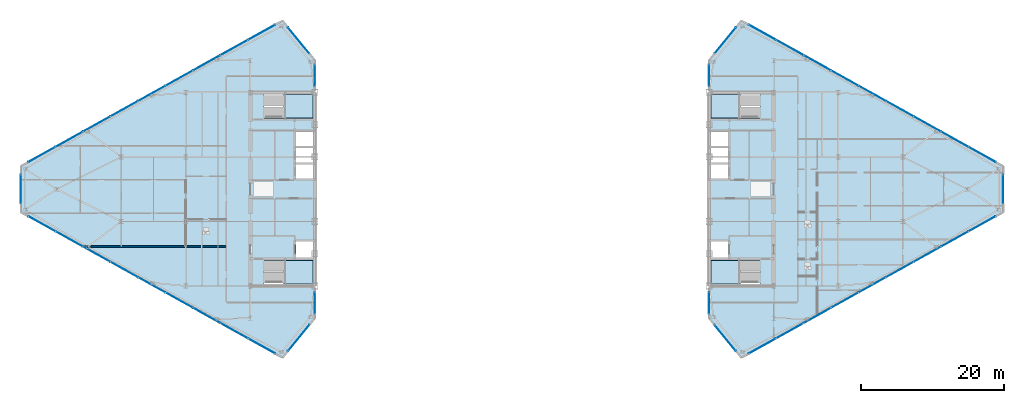
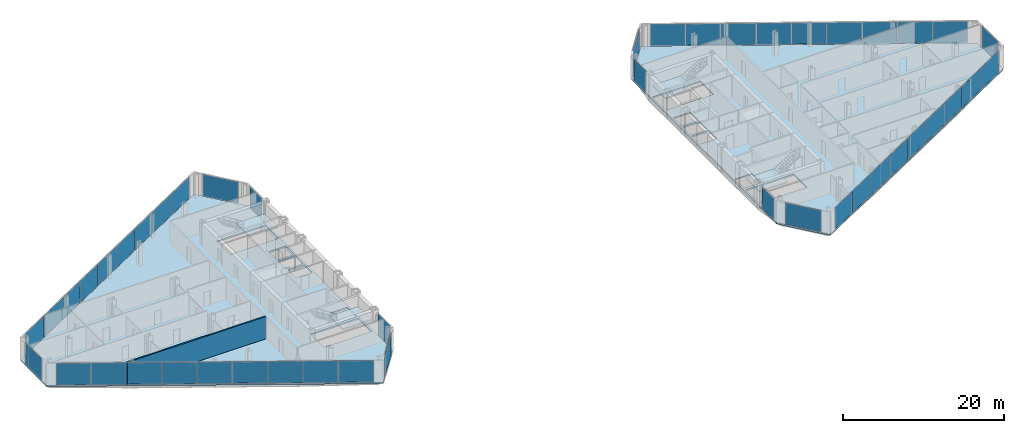
# One storey, part 18 of 26: 46 plates, 6 slabs, 1 wall, 18 elements without a shape of their own.
"""IFC4 building model written with IfcOpenShell, lengths in metres."""

from ifc_helpers import new_model, si_unit, direction, frame, frame_2d, origin, origin_2d, place, context, subcontext, project, spatial, polyline, rectangle, outline, extrude, source, transform, mapped, material, layer, layer_set, type_object, type_shapes, element, aggregate, save


model = new_model("IFC4")

# Units and contexts
model_context = context("Model", 3, precision=1e-05, world=origin(), true_north=direction((0.0, 1.0)))
body_context = subcontext(model_context, "Body", "Model", "MODEL_VIEW")
ifc_project = project(units=[si_unit("LENGTHUNIT", "METRE"), si_unit("AREAUNIT", "SQUARE_METRE"), si_unit("VOLUMEUNIT", "CUBIC_METRE"), si_unit("PLANEANGLEUNIT", "RADIAN"), si_unit("MASSUNIT", "GRAM", prefix="KILO")], contexts=[model_context])

# Site, building, storey
site_placement = place(None, origin())
site = spatial("IfcSite", under=ifc_project, at=site_placement, CompositionType="ELEMENT")
building_placement = place(site_placement, origin())
building = spatial("IfcBuilding", under=site, at=building_placement, Name="Seokmaru Belvedere", CompositionType="ELEMENT")
storey_placement = place(building_placement, frame((0.0, 0.0, 170.699951171875)))
storey = spatial("IfcBuildingStorey", under=building, at=storey_placement, Name="L45", CompositionType="ELEMENT", Elevation=170.699951171875)

# Stair, slab
ifc_material_1 = material(Name="Concrete C40 (40 MPa)", Category="concrete")
stair_type = type_object("IfcStairType", Name="Typical Tower Core Dog-Leg Stair 3600", PredefinedType="TWO_STRAIGHT_RUN_STAIR", material=ifc_material_1)
stair_1_placement = place(storey_placement, origin())
stair_1 = element("IfcStair", 1, at=stair_1_placement, inside=storey, type_object=stair_type, Name="L45 Special Escape Stair ST-W1", PredefinedType="TWO_STRAIGHT_RUN_STAIR")
ifc_layer_1 = layer(ifc_material_1, 0.199951171875)
ifc_layer_set_1 = layer_set([ifc_layer_1], Name="Concrete C40 (40 MPa)")
slab_type_1 = type_object("IfcSlabType", Name="Reinforced Concrete Stair Landing Slab 200", PredefinedType="LANDING", material=ifc_layer_set_1)
slab_1_placement = place(storey_placement, frame((0.0, 0.0, 1.60009765625)))
slab_1 = element("IfcSlab", 2, at=slab_1_placement, type_object=slab_type_1, Name="ST-W1 landing 1", PredefinedType="LANDING", context=body_context, shape_type="SweptSolid", body=[
    extrude(outline(polyline([(-31.8798828125, -13.239990234375), (-27.760009765625, -13.239990234375), (-27.760009765625, -9.949951171875), (-31.8798828125, -9.949951171875), (-31.8798828125, -13.239990234375)])), origin(), (0.0, 0.0, 1.0), 0.199951171875),
])
aggregate(stair_1, [slab_1])

stair_2_placement = place(storey_placement, origin())
stair_2 = element("IfcStair", 3, at=stair_2_placement, inside=storey, type_object=stair_type, Name="L45 Special Escape Stair ST-W2", PredefinedType="TWO_STRAIGHT_RUN_STAIR")
slab_2_placement = place(storey_placement, frame((0.0, 0.0, 1.60009765625)))
slab_2 = element("IfcSlab", 4, at=slab_2_placement, type_object=slab_type_1, Name="ST-W2 landing 1", PredefinedType="LANDING", context=body_context, shape_type="SweptSolid", body=[
    extrude(outline(polyline([(-31.8798828125, 9.949951171875), (-27.760009765625, 9.949951171875), (-27.760009765625, 13.239990234375), (-31.8798828125, 13.239990234375), (-31.8798828125, 9.949951171875)])), origin(), (0.0, 0.0, 1.0), 0.199951171875),
])
aggregate(stair_2, [slab_2])

stair_3_placement = place(storey_placement, origin())
stair_3 = element("IfcStair", 5, at=stair_3_placement, inside=storey, type_object=stair_type, Name="L45 Special Escape Stair ST-E1", PredefinedType="TWO_STRAIGHT_RUN_STAIR")
slab_3_placement = place(storey_placement, frame((0.0, 0.0, 1.60009765625)))
slab_3 = element("IfcSlab", 6, at=slab_3_placement, type_object=slab_type_1, Name="ST-E1 landing 1", PredefinedType="LANDING", context=body_context, shape_type="SweptSolid", body=[
    extrude(outline(polyline([(27.760009765625, -13.239990234375), (31.8798828125, -13.239990234375), (31.8798828125, -9.949951171875), (27.760009765625, -9.949951171875), (27.760009765625, -13.239990234375)])), origin(), (0.0, 0.0, 1.0), 0.199951171875),
])
aggregate(stair_3, [slab_3])

stair_4_placement = place(storey_placement, origin())
stair_4 = element("IfcStair", 7, at=stair_4_placement, inside=storey, type_object=stair_type, Name="L45 Special Escape Stair ST-E2", PredefinedType="TWO_STRAIGHT_RUN_STAIR")
slab_4_placement = place(storey_placement, frame((0.0, 0.0, 1.60009765625)))
slab_4 = element("IfcSlab", 8, at=slab_4_placement, type_object=slab_type_1, Name="ST-E2 landing 1", PredefinedType="LANDING", context=body_context, shape_type="SweptSolid", body=[
    extrude(outline(polyline([(27.760009765625, 9.949951171875), (31.8798828125, 9.949951171875), (31.8798828125, 13.239990234375), (27.760009765625, 13.239990234375), (27.760009765625, 9.949951171875)])), origin(), (0.0, 0.0, 1.0), 0.199951171875),
])
aggregate(stair_4, [slab_4])

# Slabs
ifc_layer_2 = layer(ifc_material_1, 0.219970703125)
ifc_layer_set_2 = layer_set([ifc_layer_2], Name="Concrete C40 (40 MPa)")
slab_type_2 = type_object("IfcSlabType", Name="Typical Tower Composite Floor Slab 220", PredefinedType="FLOOR", material=ifc_layer_set_2)
slab_5_placement = place(storey_placement, frame((0.0, 0.0, -0.219970703125)))
element("IfcSlab", 9, at=slab_5_placement, inside=storey, type_object=slab_type_2, Name="L45 West Leg Floor Slab", PredefinedType="FLOOR", context=body_context, shape_type="SweptSolid", body=[
    extrude(outline(polyline([(-27.5, -18.0), (-27.5, 18.0), (-32.0, 23.5), (-68.5, 3.199951171875), (-68.5, -3.199951171875), (-32.0, -23.5), (-27.5, -18.0)]), holes=[polyline([(-34.60009765625, -13.25), (-27.75, -13.25), (-27.75, -9.949951171875), (-34.60009765625, -9.949951171875), (-34.60009765625, -13.25)]), polyline([(-34.60009765625, 9.949951171875), (-27.75, 9.949951171875), (-27.75, 13.25), (-34.60009765625, 13.25), (-34.60009765625, 9.949951171875)]), polyline([(-30.14990234375, -9.550048828125), (-27.75, -9.550048828125), (-27.75, -7.25), (-30.14990234375, -7.25), (-30.14990234375, -9.550048828125)]), polyline([(-30.14990234375, 1.449951171875), (-27.75, 1.449951171875), (-27.75, 3.449951171875), (-30.14990234375, 3.449951171875), (-30.14990234375, 1.449951171875)]), polyline([(-30.14990234375, 3.75), (-27.75, 3.75), (-27.75, 5.75), (-30.14990234375, 5.75), (-30.14990234375, 3.75)]), polyline([(-30.14990234375, 6.050048828125), (-27.75, 6.050048828125), (-27.75, 8.050048828125), (-30.14990234375, 8.050048828125), (-30.14990234375, 6.050048828125)])]), origin(), (0.0, 0.0, 1.0), 0.219970703125),
])
slab_6_placement = place(storey_placement, frame((0.0, 0.0, -0.219970703125)))
element("IfcSlab", 10, at=slab_6_placement, inside=storey, type_object=slab_type_2, Name="L45 East Leg Floor Slab", PredefinedType="FLOOR", context=body_context, shape_type="SweptSolid", body=[
    extrude(outline(polyline([(32.0, -23.5), (68.5, -3.199951171875), (68.5, 3.199951171875), (32.0, 23.5), (27.5, 18.0), (27.5, -18.0), (32.0, -23.5)]), holes=[polyline([(27.75, -13.25), (34.60009765625, -13.25), (34.60009765625, -9.949951171875), (27.75, -9.949951171875), (27.75, -13.25)]), polyline([(27.75, 9.949951171875), (34.60009765625, 9.949951171875), (34.60009765625, 13.25), (27.75, 13.25), (27.75, 9.949951171875)]), polyline([(27.75, -9.550048828125), (30.14990234375, -9.550048828125), (30.14990234375, -7.25), (27.75, -7.25), (27.75, -9.550048828125)]), polyline([(27.75, 1.449951171875), (30.14990234375, 1.449951171875), (30.14990234375, 3.449951171875), (27.75, 3.449951171875), (27.75, 1.449951171875)]), polyline([(27.75, 3.75), (30.14990234375, 3.75), (30.14990234375, 5.75), (27.75, 5.75), (27.75, 3.75)]), polyline([(27.75, 6.050048828125), (30.14990234375, 6.050048828125), (30.14990234375, 8.050048828125), (27.75, 8.050048828125), (27.75, 6.050048828125)])]), origin(), (0.0, 0.0, 1.0), 0.219970703125),
])

# Curtain wall, plate
ifc_material_2 = material(Name="Bronze Triple Insulating Glass", Category="glass")
ifc_layer_3 = layer(ifc_material_2, 0.179931640625)
ifc_layer_set_3 = layer_set([ifc_layer_3], Name="Bronze Triple Insulating Glass")
curtain_wall_type = type_object("IfcCurtainWallType", Name="High-Rise Wind-Corner Curtain Wall System CW-5", PredefinedType="NOTDEFINED", material=ifc_layer_set_3)
curtain_wall_1_placement = place(storey_placement, origin())
curtain_wall_1 = element("IfcCurtainWall", 11, at=curtain_wall_1_placement, inside=storey, type_object=curtain_wall_type, Name="L45 Curtain Wall WSP_1", PredefinedType="NOTDEFINED")
ifc_layer_4 = layer(ifc_material_2, 0.035888671875)
ifc_layer_set_4 = layer_set([ifc_layer_4], Name="Bronze Triple Insulating Glass")
plate_type = type_object("IfcPlateType", Name="Bronze Triple Vision Glazing Panel 36", PredefinedType="CURTAIN_PANEL", material=ifc_layer_set_4)
shared_shape_1 = source(origin(), body_context, "Body", "SweptSolid", [
    extrude(rectangle(XDim=2.969970703125, YDim=0.035888671875, at=origin_2d()), origin(), (0.0, 0.0, 1.0), 3.25),
])
plate_1_placement = place(storey_placement, frame((-27.5, -15.8798828125, 0.06494140625), z_axis=(0.0, 0.0, 1.0), x_axis=(0.0, 1.0, 0.0)))
plate_1 = element("IfcPlate", 12, at=plate_1_placement, type_object=plate_type, Name="CW:L45:WSP_1 Glazing Panel 1-1", PredefinedType="CURTAIN_PANEL", context=body_context, shape_type="MappedRepresentation", body=[
    mapped(shared_shape_1, transform((0.0, 0.0, 0.0), scale=1.0)),
])
aggregate(curtain_wall_1, [plate_1])

curtain_wall_2_placement = place(storey_placement, origin())
curtain_wall_2 = element("IfcCurtainWall", 13, at=curtain_wall_2_placement, inside=storey, type_object=curtain_wall_type, Name="L45 Curtain Wall WSP_2", PredefinedType="NOTDEFINED")
plate_2_placement = place(storey_placement, frame((-27.5, 15.8798828125, 0.06494140625), z_axis=(0.0, 0.0, 1.0), x_axis=(0.0, 1.0, 0.0)))
plate_2 = element("IfcPlate", 14, at=plate_2_placement, type_object=plate_type, Name="CW:L45:WSP_2 Glazing Panel 1-1", PredefinedType="CURTAIN_PANEL", context=body_context, shape_type="MappedRepresentation", body=[
    mapped(shared_shape_1, transform((0.0, 0.0, 0.0), scale=1.0)),
])
aggregate(curtain_wall_2, [plate_2])

curtain_wall_3_placement = place(storey_placement, origin())
curtain_wall_3 = element("IfcCurtainWall", 15, at=curtain_wall_3_placement, inside=storey, type_object=curtain_wall_type, Name="L45 Curtain Wall ESP_1", PredefinedType="NOTDEFINED")
plate_3_placement = place(storey_placement, frame((27.5, -15.8798828125, 0.06494140625), z_axis=(0.0, 0.0, 1.0), x_axis=(0.0, -1.0, 0.0)))
plate_3 = element("IfcPlate", 16, at=plate_3_placement, type_object=plate_type, Name="CW:L45:ESP_1 Glazing Panel 1-1", PredefinedType="CURTAIN_PANEL", context=body_context, shape_type="MappedRepresentation", body=[
    mapped(shared_shape_1, transform((0.0, 0.0, 0.0), scale=1.0)),
])
aggregate(curtain_wall_3, [plate_3])

curtain_wall_4_placement = place(storey_placement, origin())
curtain_wall_4 = element("IfcCurtainWall", 17, at=curtain_wall_4_placement, inside=storey, type_object=curtain_wall_type, Name="L45 Curtain Wall ESP_2", PredefinedType="NOTDEFINED")
plate_4_placement = place(storey_placement, frame((27.5, 15.8798828125, 0.06494140625), z_axis=(0.0, 0.0, 1.0), x_axis=(0.0, -1.0, 0.0)))
plate_4 = element("IfcPlate", 18, at=plate_4_placement, type_object=plate_type, Name="CW:L45:ESP_2 Glazing Panel 1-1", PredefinedType="CURTAIN_PANEL", context=body_context, shape_type="MappedRepresentation", body=[
    mapped(shared_shape_1, transform((0.0, 0.0, 0.0), scale=1.0)),
])
aggregate(curtain_wall_4, [plate_4])

curtain_wall_5_placement = place(storey_placement, origin())
curtain_wall_5 = element("IfcCurtainWall", 19, at=curtain_wall_5_placement, inside=storey, type_object=curtain_wall_type, Name="L45 Curtain Wall WF2", PredefinedType="NOTDEFINED")
shared_shape_2 = source(origin(), body_context, "Body", "SweptSolid", [
    extrude(rectangle(XDim=4.67626953125, YDim=0.035888671875, at=origin_2d()), origin(), (0.0, 0.0, 1.0), 3.25),
])
plate_5_placement = place(storey_placement, frame((-29.75, 20.75, 0.06494140625), z_axis=(0.0, 0.0, 1.0), x_axis=(-0.633253907144, 0.773944112379, 0.0)))
plate_5 = element("IfcPlate", 20, at=plate_5_placement, type_object=plate_type, Name="CW:L45:WF2 Glazing Panel 1-1", PredefinedType="CURTAIN_PANEL", context=body_context, shape_type="MappedRepresentation", body=[
    mapped(shared_shape_2, transform((0.0, 0.0, 0.0), scale=1.0)),
])
aggregate(curtain_wall_5, [plate_5])

curtain_wall_6_placement = place(storey_placement, origin())
curtain_wall_6 = element("IfcCurtainWall", 21, at=curtain_wall_6_placement, inside=storey, type_object=curtain_wall_type, Name="L45 Curtain Wall WF6", PredefinedType="NOTDEFINED")
plate_6_placement = place(storey_placement, frame((-29.75, -20.75, 0.06494140625), z_axis=(0.0, 0.0, 1.0), x_axis=(0.633253907144, 0.773944112379, 0.0)))
plate_6 = element("IfcPlate", 22, at=plate_6_placement, type_object=plate_type, Name="CW:L45:WF6 Glazing Panel 1-1", PredefinedType="CURTAIN_PANEL", context=body_context, shape_type="MappedRepresentation", body=[
    mapped(shared_shape_2, transform((0.0, 0.0, 0.0), scale=1.0)),
])
aggregate(curtain_wall_6, [plate_6])

curtain_wall_7_placement = place(storey_placement, origin())
curtain_wall_7 = element("IfcCurtainWall", 23, at=curtain_wall_7_placement, inside=storey, type_object=curtain_wall_type, Name="L45 Curtain Wall EF4", PredefinedType="NOTDEFINED")
plate_7_placement = place(storey_placement, frame((29.75, 20.75, 0.06494140625), z_axis=(0.0, 0.0, 1.0), x_axis=(-0.633253907144, -0.773944112379, 0.0)))
plate_7 = element("IfcPlate", 24, at=plate_7_placement, type_object=plate_type, Name="CW:L45:EF4 Glazing Panel 1-1", PredefinedType="CURTAIN_PANEL", context=body_context, shape_type="MappedRepresentation", body=[
    mapped(shared_shape_2, transform((0.0, 0.0, 0.0), scale=1.0)),
])
aggregate(curtain_wall_7, [plate_7])

curtain_wall_8_placement = place(storey_placement, origin())
curtain_wall_8 = element("IfcCurtainWall", 25, at=curtain_wall_8_placement, inside=storey, type_object=curtain_wall_type, Name="L45 Curtain Wall EF6", PredefinedType="NOTDEFINED")
plate_8_placement = place(storey_placement, frame((29.75, -20.75, 0.06494140625), z_axis=(0.0, 0.0, 1.0), x_axis=(0.633253907144, -0.773944112379, 0.0)))
plate_8 = element("IfcPlate", 26, at=plate_8_placement, type_object=plate_type, Name="CW:L45:EF6 Glazing Panel 1-1", PredefinedType="CURTAIN_PANEL", context=body_context, shape_type="MappedRepresentation", body=[
    mapped(shared_shape_2, transform((0.0, 0.0, 0.0), scale=1.0)),
])
aggregate(curtain_wall_8, [plate_8])

# Curtain wall, plates
curtain_wall_9_placement = place(storey_placement, origin())
curtain_wall_9 = element("IfcCurtainWall", 27, at=curtain_wall_9_placement, inside=storey, type_object=curtain_wall_type, Name="L45 Curtain Wall WF3", PredefinedType="NOTDEFINED")
shared_shape_3 = source(origin(), body_context, "Body", "SweptSolid", [
    extrude(rectangle(XDim=4.28759765625, YDim=0.035888671875, at=origin_2d()), origin(), (0.0, 0.0, 1.0), 3.25),
])
plate_9_placement = place(storey_placement, frame((-34.935302734375, 21.867431640625, 0.06494140625), z_axis=(0.0, 0.0, 1.0), x_axis=(-0.873932601598, -0.486047125147, 0.0)))
plate_9 = element("IfcPlate", 28, at=plate_9_placement, type_object=plate_type, Name="CW:L45:WF3 Glazing Panel 1-1", PredefinedType="CURTAIN_PANEL", context=body_context, shape_type="MappedRepresentation", body=[
    mapped(shared_shape_3, transform((0.0, 0.0, 0.0), scale=1.0)),
])
plate_10_placement = place(storey_placement, frame((-65.564697265625, 4.83251953125, 0.06494140625), z_axis=(0.0, 0.0, 1.0), x_axis=(-0.873932601598, -0.486047125147, 0.0)))
plate_10 = element("IfcPlate", 29, at=plate_10_placement, type_object=plate_type, Name="CW:L45:WF3 Glazing Panel 9-1", PredefinedType="CURTAIN_PANEL", context=body_context, shape_type="MappedRepresentation", body=[
    mapped(shared_shape_3, transform((0.0, 0.0, 0.0), scale=1.0)),
])

curtain_wall_10_placement = place(storey_placement, origin())
curtain_wall_10 = element("IfcCurtainWall", 30, at=curtain_wall_10_placement, inside=storey, type_object=curtain_wall_type, Name="L45 Curtain Wall WF5", PredefinedType="NOTDEFINED")
plate_11_placement = place(storey_placement, frame((-65.564697265625, -4.83251953125, 0.06494140625), z_axis=(0.0, 0.0, 1.0), x_axis=(0.873932601598, -0.486047125147, 0.0)))
plate_11 = element("IfcPlate", 31, at=plate_11_placement, type_object=plate_type, Name="CW:L45:WF5 Glazing Panel 1-1", PredefinedType="CURTAIN_PANEL", context=body_context, shape_type="MappedRepresentation", body=[
    mapped(shared_shape_3, transform((0.0, 0.0, 0.0), scale=1.0)),
])
plate_12_placement = place(storey_placement, frame((-34.935302734375, -21.867431640625, 0.06494140625), z_axis=(0.0, 0.0, 1.0), x_axis=(0.873932601598, -0.486047125147, 0.0)))
plate_12 = element("IfcPlate", 32, at=plate_12_placement, type_object=plate_type, Name="CW:L45:WF5 Glazing Panel 9-1", PredefinedType="CURTAIN_PANEL", context=body_context, shape_type="MappedRepresentation", body=[
    mapped(shared_shape_3, transform((0.0, 0.0, 0.0), scale=1.0)),
])

curtain_wall_11_placement = place(storey_placement, origin())
curtain_wall_11 = element("IfcCurtainWall", 33, at=curtain_wall_11_placement, inside=storey, type_object=curtain_wall_type, Name="L45 Curtain Wall EF1", PredefinedType="NOTDEFINED")
plate_13_placement = place(storey_placement, frame((34.935302734375, -21.867431640625, 0.06494140625), z_axis=(0.0, 0.0, 1.0), x_axis=(0.873932601598, 0.486047125147, 0.0)))
plate_13 = element("IfcPlate", 34, at=plate_13_placement, type_object=plate_type, Name="CW:L45:EF1 Glazing Panel 1-1", PredefinedType="CURTAIN_PANEL", context=body_context, shape_type="MappedRepresentation", body=[
    mapped(shared_shape_3, transform((0.0, 0.0, 0.0), scale=1.0)),
])
plate_14_placement = place(storey_placement, frame((65.564697265625, -4.83251953125, 0.06494140625), z_axis=(0.0, 0.0, 1.0), x_axis=(0.873932601598, 0.486047125147, 0.0)))
plate_14 = element("IfcPlate", 35, at=plate_14_placement, type_object=plate_type, Name="CW:L45:EF1 Glazing Panel 9-1", PredefinedType="CURTAIN_PANEL", context=body_context, shape_type="MappedRepresentation", body=[
    mapped(shared_shape_3, transform((0.0, 0.0, 0.0), scale=1.0)),
])

curtain_wall_12_placement = place(storey_placement, origin())
curtain_wall_12 = element("IfcCurtainWall", 36, at=curtain_wall_12_placement, inside=storey, type_object=curtain_wall_type, Name="L45 Curtain Wall EF3", PredefinedType="NOTDEFINED")
plate_15_placement = place(storey_placement, frame((65.564697265625, 4.83251953125, 0.06494140625), z_axis=(0.0, 0.0, 1.0), x_axis=(-0.873932601598, 0.486047125147, 0.0)))
plate_15 = element("IfcPlate", 37, at=plate_15_placement, type_object=plate_type, Name="CW:L45:EF3 Glazing Panel 1-1", PredefinedType="CURTAIN_PANEL", context=body_context, shape_type="MappedRepresentation", body=[
    mapped(shared_shape_3, transform((0.0, 0.0, 0.0), scale=1.0)),
])
plate_16_placement = place(storey_placement, frame((34.935302734375, 21.867431640625, 0.06494140625), z_axis=(0.0, 0.0, 1.0), x_axis=(-0.873932601598, 0.486047125147, 0.0)))
plate_16 = element("IfcPlate", 38, at=plate_16_placement, type_object=plate_type, Name="CW:L45:EF3 Glazing Panel 9-1", PredefinedType="CURTAIN_PANEL", context=body_context, shape_type="MappedRepresentation", body=[
    mapped(shared_shape_3, transform((0.0, 0.0, 0.0), scale=1.0)),
])

# Plate
shared_shape_4 = source(origin(), body_context, "Body", "SweptSolid", [
    extrude(rectangle(XDim=4.320068359375, YDim=0.035888671875, at=origin_2d()), origin(), (0.0, 0.0, 1.0), 3.25),
])
plate_17_placement = place(storey_placement, frame((-38.75341796875, 19.743896484375, 0.06494140625), z_axis=(0.0, 0.0, 1.0), x_axis=(-0.873932601598, -0.486047125147, 0.0)))
plate_17 = element("IfcPlate", 39, at=plate_17_placement, type_object=plate_type, Name="CW:L45:WF3 Glazing Panel 2-1", PredefinedType="CURTAIN_PANEL", context=body_context, shape_type="MappedRepresentation", body=[
    mapped(shared_shape_4, transform((0.0, 0.0, 0.0), scale=1.0)),
])

plate_18_placement = place(storey_placement, frame((-42.585693359375, 17.61279296875, 0.06494140625), z_axis=(0.0, 0.0, 1.0), x_axis=(-0.873932601598, -0.486047125147, 0.0)))
plate_18 = element("IfcPlate", 40, at=plate_18_placement, type_object=plate_type, Name="CW:L45:WF3 Glazing Panel 3-1", PredefinedType="CURTAIN_PANEL", context=body_context, shape_type="MappedRepresentation", body=[
    mapped(shared_shape_4, transform((0.0, 0.0, 0.0), scale=1.0)),
])

plate_19_placement = place(storey_placement, frame((-46.417724609375, 15.481201171875, 0.06494140625), z_axis=(0.0, 0.0, 1.0), x_axis=(-0.873932601598, -0.486047125147, 0.0)))
plate_19 = element("IfcPlate", 41, at=plate_19_placement, type_object=plate_type, Name="CW:L45:WF3 Glazing Panel 4-1", PredefinedType="CURTAIN_PANEL", context=body_context, shape_type="MappedRepresentation", body=[
    mapped(shared_shape_4, transform((0.0, 0.0, 0.0), scale=1.0)),
])

plate_20_placement = place(storey_placement, frame((-50.25, 13.35009765625, 0.06494140625), z_axis=(0.0, 0.0, 1.0), x_axis=(-0.873932601598, -0.486047125147, 0.0)))
plate_20 = element("IfcPlate", 42, at=plate_20_placement, type_object=plate_type, Name="CW:L45:WF3 Glazing Panel 5-1", PredefinedType="CURTAIN_PANEL", context=body_context, shape_type="MappedRepresentation", body=[
    mapped(shared_shape_4, transform((0.0, 0.0, 0.0), scale=1.0)),
])

plate_21_placement = place(storey_placement, frame((-54.082275390625, 11.21875, 0.06494140625), z_axis=(0.0, 0.0, 1.0), x_axis=(-0.873932601598, -0.486047125147, 0.0)))
plate_21 = element("IfcPlate", 43, at=plate_21_placement, type_object=plate_type, Name="CW:L45:WF3 Glazing Panel 6-1", PredefinedType="CURTAIN_PANEL", context=body_context, shape_type="MappedRepresentation", body=[
    mapped(shared_shape_4, transform((0.0, 0.0, 0.0), scale=1.0)),
])

plate_22_placement = place(storey_placement, frame((-57.914306640625, 9.08740234375, 0.06494140625), z_axis=(0.0, 0.0, 1.0), x_axis=(-0.873932601598, -0.486047125147, 0.0)))
plate_22 = element("IfcPlate", 44, at=plate_22_placement, type_object=plate_type, Name="CW:L45:WF3 Glazing Panel 7-1", PredefinedType="CURTAIN_PANEL", context=body_context, shape_type="MappedRepresentation", body=[
    mapped(shared_shape_4, transform((0.0, 0.0, 0.0), scale=1.0)),
])

plate_23_placement = place(storey_placement, frame((-61.74658203125, 6.9560546875, 0.06494140625), z_axis=(0.0, 0.0, 1.0), x_axis=(-0.873932601598, -0.486047125147, 0.0)))
plate_23 = element("IfcPlate", 45, at=plate_23_placement, type_object=plate_type, Name="CW:L45:WF3 Glazing Panel 8-1", PredefinedType="CURTAIN_PANEL", context=body_context, shape_type="MappedRepresentation", body=[
    mapped(shared_shape_4, transform((0.0, 0.0, 0.0), scale=1.0)),
])

aggregate(curtain_wall_9, [plate_9, plate_17, plate_18, plate_19, plate_20, plate_21, plate_22, plate_23, plate_10])

plate_24_placement = place(storey_placement, frame((-61.74658203125, -6.9560546875, 0.06494140625), z_axis=(0.0, 0.0, 1.0), x_axis=(0.873932601598, -0.486047125147, 0.0)))
plate_24 = element("IfcPlate", 46, at=plate_24_placement, type_object=plate_type, Name="CW:L45:WF5 Glazing Panel 2-1", PredefinedType="CURTAIN_PANEL", context=body_context, shape_type="MappedRepresentation", body=[
    mapped(shared_shape_4, transform((0.0, 0.0, 0.0), scale=1.0)),
])

plate_25_placement = place(storey_placement, frame((-57.914306640625, -9.08740234375, 0.06494140625), z_axis=(0.0, 0.0, 1.0), x_axis=(0.873932601598, -0.486047125147, 0.0)))
plate_25 = element("IfcPlate", 47, at=plate_25_placement, type_object=plate_type, Name="CW:L45:WF5 Glazing Panel 3-1", PredefinedType="CURTAIN_PANEL", context=body_context, shape_type="MappedRepresentation", body=[
    mapped(shared_shape_4, transform((0.0, 0.0, 0.0), scale=1.0)),
])

plate_26_placement = place(storey_placement, frame((-54.082275390625, -11.21875, 0.06494140625), z_axis=(0.0, 0.0, 1.0), x_axis=(0.873932601598, -0.486047125147, 0.0)))
plate_26 = element("IfcPlate", 48, at=plate_26_placement, type_object=plate_type, Name="CW:L45:WF5 Glazing Panel 4-1", PredefinedType="CURTAIN_PANEL", context=body_context, shape_type="MappedRepresentation", body=[
    mapped(shared_shape_4, transform((0.0, 0.0, 0.0), scale=1.0)),
])

plate_27_placement = place(storey_placement, frame((-50.25, -13.35009765625, 0.06494140625), z_axis=(0.0, 0.0, 1.0), x_axis=(0.873932601598, -0.486047125147, 0.0)))
plate_27 = element("IfcPlate", 49, at=plate_27_placement, type_object=plate_type, Name="CW:L45:WF5 Glazing Panel 5-1", PredefinedType="CURTAIN_PANEL", context=body_context, shape_type="MappedRepresentation", body=[
    mapped(shared_shape_4, transform((0.0, 0.0, 0.0), scale=1.0)),
])

plate_28_placement = place(storey_placement, frame((-46.417724609375, -15.481201171875, 0.06494140625), z_axis=(0.0, 0.0, 1.0), x_axis=(0.873932601598, -0.486047125147, 0.0)))
plate_28 = element("IfcPlate", 50, at=plate_28_placement, type_object=plate_type, Name="CW:L45:WF5 Glazing Panel 6-1", PredefinedType="CURTAIN_PANEL", context=body_context, shape_type="MappedRepresentation", body=[
    mapped(shared_shape_4, transform((0.0, 0.0, 0.0), scale=1.0)),
])

plate_29_placement = place(storey_placement, frame((-42.585693359375, -17.61279296875, 0.06494140625), z_axis=(0.0, 0.0, 1.0), x_axis=(0.873932601598, -0.486047125147, 0.0)))
plate_29 = element("IfcPlate", 51, at=plate_29_placement, type_object=plate_type, Name="CW:L45:WF5 Glazing Panel 7-1", PredefinedType="CURTAIN_PANEL", context=body_context, shape_type="MappedRepresentation", body=[
    mapped(shared_shape_4, transform((0.0, 0.0, 0.0), scale=1.0)),
])

plate_30_placement = place(storey_placement, frame((-38.75341796875, -19.743896484375, 0.06494140625), z_axis=(0.0, 0.0, 1.0), x_axis=(0.873932601598, -0.486047125147, 0.0)))
plate_30 = element("IfcPlate", 52, at=plate_30_placement, type_object=plate_type, Name="CW:L45:WF5 Glazing Panel 8-1", PredefinedType="CURTAIN_PANEL", context=body_context, shape_type="MappedRepresentation", body=[
    mapped(shared_shape_4, transform((0.0, 0.0, 0.0), scale=1.0)),
])

aggregate(curtain_wall_10, [plate_11, plate_24, plate_25, plate_26, plate_27, plate_28, plate_29, plate_30, plate_12])

plate_31_placement = place(storey_placement, frame((38.75341796875, -19.743896484375, 0.06494140625), z_axis=(0.0, 0.0, 1.0), x_axis=(0.873932601598, 0.486047125147, 0.0)))
plate_31 = element("IfcPlate", 53, at=plate_31_placement, type_object=plate_type, Name="CW:L45:EF1 Glazing Panel 2-1", PredefinedType="CURTAIN_PANEL", context=body_context, shape_type="MappedRepresentation", body=[
    mapped(shared_shape_4, transform((0.0, 0.0, 0.0), scale=1.0)),
])

plate_32_placement = place(storey_placement, frame((42.585693359375, -17.61279296875, 0.06494140625), z_axis=(0.0, 0.0, 1.0), x_axis=(0.873932601598, 0.486047125147, 0.0)))
plate_32 = element("IfcPlate", 54, at=plate_32_placement, type_object=plate_type, Name="CW:L45:EF1 Glazing Panel 3-1", PredefinedType="CURTAIN_PANEL", context=body_context, shape_type="MappedRepresentation", body=[
    mapped(shared_shape_4, transform((0.0, 0.0, 0.0), scale=1.0)),
])

plate_33_placement = place(storey_placement, frame((46.417724609375, -15.481201171875, 0.06494140625), z_axis=(0.0, 0.0, 1.0), x_axis=(0.873932601598, 0.486047125147, 0.0)))
plate_33 = element("IfcPlate", 55, at=plate_33_placement, type_object=plate_type, Name="CW:L45:EF1 Glazing Panel 4-1", PredefinedType="CURTAIN_PANEL", context=body_context, shape_type="MappedRepresentation", body=[
    mapped(shared_shape_4, transform((0.0, 0.0, 0.0), scale=1.0)),
])

plate_34_placement = place(storey_placement, frame((50.25, -13.35009765625, 0.06494140625), z_axis=(0.0, 0.0, 1.0), x_axis=(0.873932601598, 0.486047125147, 0.0)))
plate_34 = element("IfcPlate", 56, at=plate_34_placement, type_object=plate_type, Name="CW:L45:EF1 Glazing Panel 5-1", PredefinedType="CURTAIN_PANEL", context=body_context, shape_type="MappedRepresentation", body=[
    mapped(shared_shape_4, transform((0.0, 0.0, 0.0), scale=1.0)),
])

plate_35_placement = place(storey_placement, frame((54.082275390625, -11.21875, 0.06494140625), z_axis=(0.0, 0.0, 1.0), x_axis=(0.873932601598, 0.486047125147, 0.0)))
plate_35 = element("IfcPlate", 57, at=plate_35_placement, type_object=plate_type, Name="CW:L45:EF1 Glazing Panel 6-1", PredefinedType="CURTAIN_PANEL", context=body_context, shape_type="MappedRepresentation", body=[
    mapped(shared_shape_4, transform((0.0, 0.0, 0.0), scale=1.0)),
])

plate_36_placement = place(storey_placement, frame((57.914306640625, -9.08740234375, 0.06494140625), z_axis=(0.0, 0.0, 1.0), x_axis=(0.873932601598, 0.486047125147, 0.0)))
plate_36 = element("IfcPlate", 58, at=plate_36_placement, type_object=plate_type, Name="CW:L45:EF1 Glazing Panel 7-1", PredefinedType="CURTAIN_PANEL", context=body_context, shape_type="MappedRepresentation", body=[
    mapped(shared_shape_4, transform((0.0, 0.0, 0.0), scale=1.0)),
])

plate_37_placement = place(storey_placement, frame((61.74658203125, -6.9560546875, 0.06494140625), z_axis=(0.0, 0.0, 1.0), x_axis=(0.873932601598, 0.486047125147, 0.0)))
plate_37 = element("IfcPlate", 59, at=plate_37_placement, type_object=plate_type, Name="CW:L45:EF1 Glazing Panel 8-1", PredefinedType="CURTAIN_PANEL", context=body_context, shape_type="MappedRepresentation", body=[
    mapped(shared_shape_4, transform((0.0, 0.0, 0.0), scale=1.0)),
])

aggregate(curtain_wall_11, [plate_13, plate_31, plate_32, plate_33, plate_34, plate_35, plate_36, plate_37, plate_14])

plate_38_placement = place(storey_placement, frame((61.74658203125, 6.9560546875, 0.06494140625), z_axis=(0.0, 0.0, 1.0), x_axis=(-0.873932601598, 0.486047125147, 0.0)))
plate_38 = element("IfcPlate", 60, at=plate_38_placement, type_object=plate_type, Name="CW:L45:EF3 Glazing Panel 2-1", PredefinedType="CURTAIN_PANEL", context=body_context, shape_type="MappedRepresentation", body=[
    mapped(shared_shape_4, transform((0.0, 0.0, 0.0), scale=1.0)),
])

plate_39_placement = place(storey_placement, frame((57.914306640625, 9.08740234375, 0.06494140625), z_axis=(0.0, 0.0, 1.0), x_axis=(-0.873932601598, 0.486047125147, 0.0)))
plate_39 = element("IfcPlate", 61, at=plate_39_placement, type_object=plate_type, Name="CW:L45:EF3 Glazing Panel 3-1", PredefinedType="CURTAIN_PANEL", context=body_context, shape_type="MappedRepresentation", body=[
    mapped(shared_shape_4, transform((0.0, 0.0, 0.0), scale=1.0)),
])

plate_40_placement = place(storey_placement, frame((54.082275390625, 11.21875, 0.06494140625), z_axis=(0.0, 0.0, 1.0), x_axis=(-0.873932601598, 0.486047125147, 0.0)))
plate_40 = element("IfcPlate", 62, at=plate_40_placement, type_object=plate_type, Name="CW:L45:EF3 Glazing Panel 4-1", PredefinedType="CURTAIN_PANEL", context=body_context, shape_type="MappedRepresentation", body=[
    mapped(shared_shape_4, transform((0.0, 0.0, 0.0), scale=1.0)),
])

plate_41_placement = place(storey_placement, frame((50.25, 13.35009765625, 0.06494140625), z_axis=(0.0, 0.0, 1.0), x_axis=(-0.873932601598, 0.486047125147, 0.0)))
plate_41 = element("IfcPlate", 63, at=plate_41_placement, type_object=plate_type, Name="CW:L45:EF3 Glazing Panel 5-1", PredefinedType="CURTAIN_PANEL", context=body_context, shape_type="MappedRepresentation", body=[
    mapped(shared_shape_4, transform((0.0, 0.0, 0.0), scale=1.0)),
])

plate_42_placement = place(storey_placement, frame((46.417724609375, 15.481201171875, 0.06494140625), z_axis=(0.0, 0.0, 1.0), x_axis=(-0.873932601598, 0.486047125147, 0.0)))
plate_42 = element("IfcPlate", 64, at=plate_42_placement, type_object=plate_type, Name="CW:L45:EF3 Glazing Panel 6-1", PredefinedType="CURTAIN_PANEL", context=body_context, shape_type="MappedRepresentation", body=[
    mapped(shared_shape_4, transform((0.0, 0.0, 0.0), scale=1.0)),
])

plate_43_placement = place(storey_placement, frame((42.585693359375, 17.61279296875, 0.06494140625), z_axis=(0.0, 0.0, 1.0), x_axis=(-0.873932601598, 0.486047125147, 0.0)))
plate_43 = element("IfcPlate", 65, at=plate_43_placement, type_object=plate_type, Name="CW:L45:EF3 Glazing Panel 7-1", PredefinedType="CURTAIN_PANEL", context=body_context, shape_type="MappedRepresentation", body=[
    mapped(shared_shape_4, transform((0.0, 0.0, 0.0), scale=1.0)),
])

plate_44_placement = place(storey_placement, frame((38.75341796875, 19.743896484375, 0.06494140625), z_axis=(0.0, 0.0, 1.0), x_axis=(-0.873932601598, 0.486047125147, 0.0)))
plate_44 = element("IfcPlate", 66, at=plate_44_placement, type_object=plate_type, Name="CW:L45:EF3 Glazing Panel 8-1", PredefinedType="CURTAIN_PANEL", context=body_context, shape_type="MappedRepresentation", body=[
    mapped(shared_shape_4, transform((0.0, 0.0, 0.0), scale=1.0)),
])

aggregate(curtain_wall_12, [plate_15, plate_38, plate_39, plate_40, plate_41, plate_42, plate_43, plate_44, plate_16])

# Curtain wall, plate
curtain_wall_13_placement = place(storey_placement, origin())
curtain_wall_13 = element("IfcCurtainWall", 67, at=curtain_wall_13_placement, inside=storey, type_object=curtain_wall_type, Name="L45 Curtain Wall WF4", PredefinedType="NOTDEFINED")
shared_shape_5 = source(origin(), body_context, "Body", "SweptSolid", [
    extrude(rectangle(XDim=3.969970703125, YDim=0.035888671875, at=origin_2d()), origin(), (0.0, 0.0, 1.0), 3.25),
])
type_shapes(plate_type, [shared_shape_1, shared_shape_2, shared_shape_3, shared_shape_4, shared_shape_5])
plate_45_placement = place(storey_placement, frame((-68.5, 0.0, 0.06494140625), z_axis=(0.0, 0.0, 1.0), x_axis=(0.0, -1.0, 0.0)))
plate_45 = element("IfcPlate", 68, at=plate_45_placement, type_object=plate_type, Name="CW:L45:WF4 Glazing Panel 1-1", PredefinedType="CURTAIN_PANEL", context=body_context, shape_type="MappedRepresentation", body=[
    mapped(shared_shape_5, transform((0.0, 0.0, 0.0), scale=1.0)),
])
aggregate(curtain_wall_13, [plate_45])

curtain_wall_14_placement = place(storey_placement, origin())
curtain_wall_14 = element("IfcCurtainWall", 69, at=curtain_wall_14_placement, inside=storey, type_object=curtain_wall_type, Name="L45 Curtain Wall EF2", PredefinedType="NOTDEFINED")
plate_46_placement = place(storey_placement, frame((68.5, 0.0, 0.06494140625), z_axis=(0.0, 0.0, 1.0), x_axis=(0.0, 1.0, 0.0)))
plate_46 = element("IfcPlate", 70, at=plate_46_placement, type_object=plate_type, Name="CW:L45:EF2 Glazing Panel 1-1", PredefinedType="CURTAIN_PANEL", context=body_context, shape_type="MappedRepresentation", body=[
    mapped(shared_shape_5, transform((0.0, 0.0, 0.0), scale=1.0)),
])
aggregate(curtain_wall_14, [plate_46])

# Wall
ifc_material_3 = material(Name="Fire-Rated Gypsum Shaftwall")
ifc_layer_5 = layer(ifc_material_3, 0.199951171875)
ifc_layer_set_5 = layer_set([ifc_layer_5], Name="Fire-Rated Gypsum Shaftwall")
wall_type = type_object("IfcWallType", Name="Inter-Tenancy Fire Compartment Partition 200", PredefinedType="PARTITIONING", material=ifc_layer_set_5)
wall_placement = place(storey_placement, frame((-59.8798828125, -8.0, 0.0), z_axis=(0.0, 0.0, 1.0), x_axis=(1.0, 0.0, 0.0)))
element("IfcWall", 71, at=wall_placement, inside=storey, type_object=wall_type, Name="L45 Interior Partition 007", PredefinedType="PARTITIONING", context=body_context, shape_type="SweptSolid", body=[
    extrude(rectangle(XDim=19.949951171875, YDim=0.199951171875, at=frame_2d((9.97509765625, 0.0))), origin(), (0.0, 0.0, 1.0), 3.380126953125),
])

save(model, "model.ifc")
